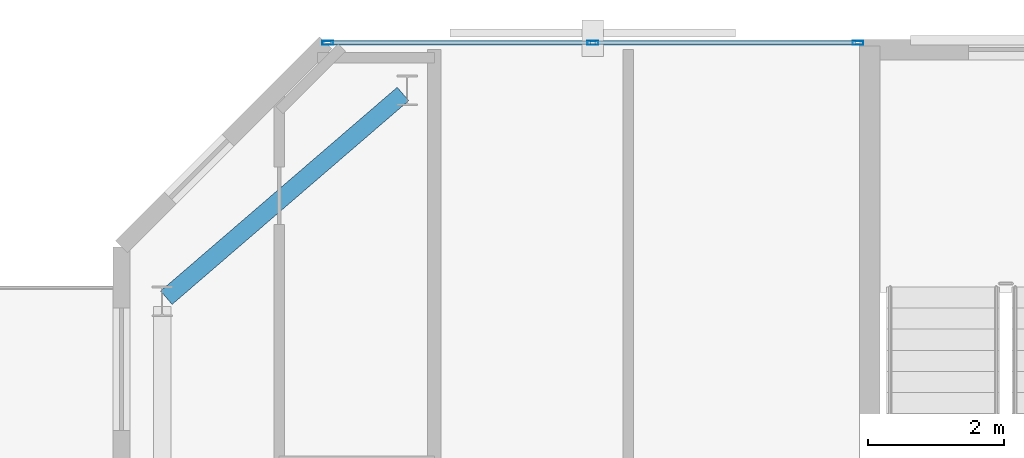
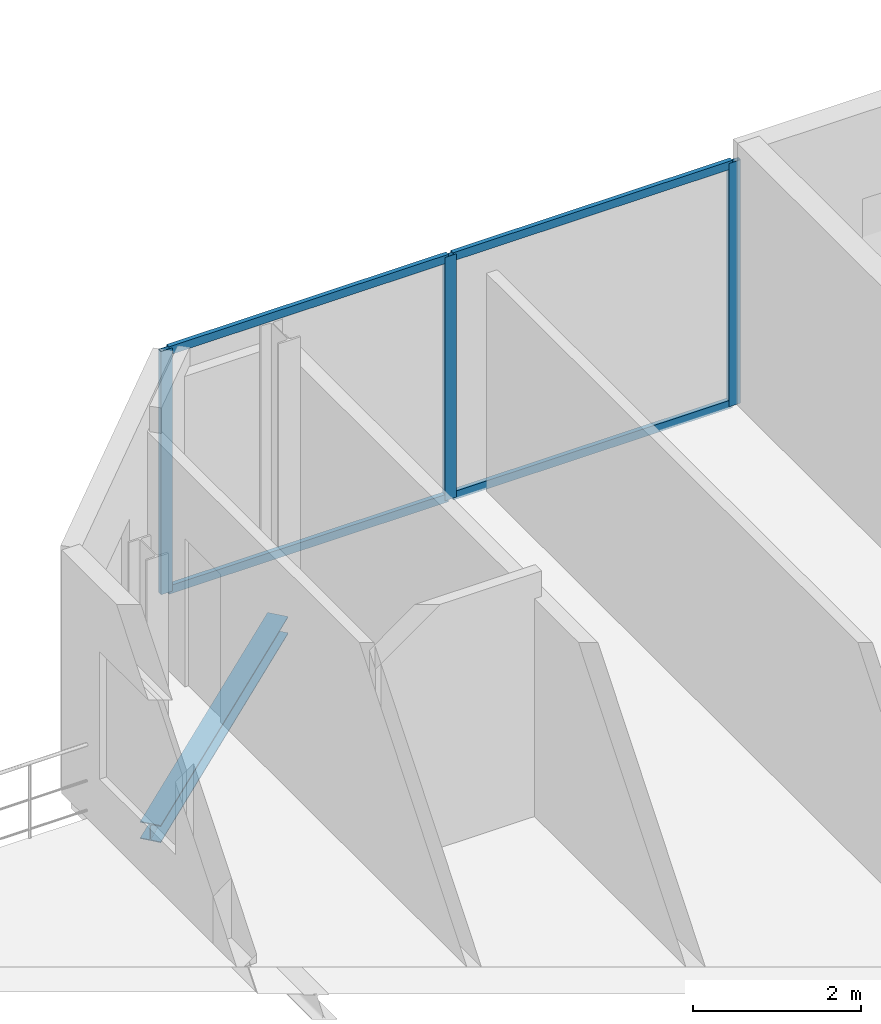
# One storey, part 16 of 23: 7 members, 1 beam, 1 element without a shape of its own.
"""IFC4 building model written with IfcOpenShell, lengths in metres."""

from ifc_helpers import new_model, si_unit, direction, frame, origin, origin_2d, place, context, subcontext, project, spatial, hollow_rectangle, i_section, extrude, material, layer, layer_set, material_profile, profile_set, type_object, element, aggregate, save


model = new_model("IFC4")

# Units and contexts
model_context = context("Model", 3, precision=1e-05, world=origin(), true_north=direction((0.0, 1.0)))
body_context = subcontext(model_context, "Body", "Model", "MODEL_VIEW")
ifc_project = project(units=[si_unit("LENGTHUNIT", "METRE"), si_unit("AREAUNIT", "SQUARE_METRE"), si_unit("VOLUMEUNIT", "CUBIC_METRE"), si_unit("PLANEANGLEUNIT", "RADIAN"), si_unit("MASSUNIT", "GRAM", prefix="KILO")], contexts=[model_context])

# Site, building, storey
site_placement = place(None, origin())
site = spatial("IfcSite", under=ifc_project, at=site_placement, CompositionType="ELEMENT")
building_placement = place(site_placement, origin())
building = spatial("IfcBuilding", under=site, at=building_placement, Name="Catumbela Crestline Tower", CompositionType="ELEMENT")
storey_placement = place(building_placement, frame((0.0, 0.0, 245.0)))
storey = spatial("IfcBuildingStorey", under=building, at=storey_placement, Name="L63", CompositionType="ELEMENT", Elevation=245.0)

# Curtain wall, members
ifc_material_1 = material(Name="Aluminium alloy AW-6060-T66", Category="aluminium")
ifc_layer = layer(ifc_material_1, 0.18, Name="Aluminium alloy AW-6060-T66")
ifc_layer_set = layer_set([ifc_layer], Name="Aluminium alloy AW-6060-T66")
curtain_wall_type = type_object("IfcCurtainWallType", Name="CWU-Z4", PredefinedType="USERDEFINED", material=ifc_layer_set)
curtain_wall_placement = place(storey_placement, origin())
curtain_wall = element("IfcCurtainWall", 1, at=curtain_wall_placement, inside=storey, type_object=curtain_wall_type, Name="L63 Unitised Curtain Wall CW-L63-E7S2", ObjectType="UNITISED", PredefinedType="USERDEFINED")
ifc_material_profile_1 = material_profile(ifc_material_1, hollow_rectangle(XDim=0.06, YDim=0.16, WallThickness=0.004, at=origin_2d()), Name="ALU 160x60x4")
ifc_profile_set_1 = profile_set([ifc_material_profile_1], Name="Aluminium alloy AW-6060-T66")
member_type_1 = type_object("IfcMemberType", Name="MUL-160X60", PredefinedType="MULLION", material=ifc_profile_set_1)
member_1_placement = place(storey_placement, frame((15.8275, 43.0, 0.0), z_axis=(0.0, 0.0, 1.0), x_axis=(0.0, -1.0, 0.0)))
member_1 = element("IfcMember", 2, at=member_1_placement, type_object=member_type_1, Name="CWU-Z4 mullion 1", PredefinedType="MULLION", context=body_context, shape_type="SweptSolid", body=[
    extrude(hollow_rectangle(XDim=0.06, YDim=0.16, WallThickness=0.004, at=origin_2d()), origin(), (0.0, 0.0, 1.0), 3.53),
])
member_2_placement = place(storey_placement, frame((11.93, 43.0, 0.0), z_axis=(0.0, 0.0, 1.0), x_axis=(0.0, -1.0, 0.0)))
member_2 = element("IfcMember", 3, at=member_2_placement, type_object=member_type_1, Name="CWU-Z4 mullion 2", PredefinedType="MULLION", context=body_context, shape_type="SweptSolid", body=[
    extrude(hollow_rectangle(XDim=0.06, YDim=0.16, WallThickness=0.004, at=origin_2d()), origin(), (0.0, 0.0, 1.0), 3.53),
])
member_3_placement = place(storey_placement, frame((8.0325, 43.0, 0.0), z_axis=(0.0, 0.0, 1.0), x_axis=(0.0, -1.0, 0.0)))
member_3 = element("IfcMember", 4, at=member_3_placement, type_object=member_type_1, Name="CWU-Z4 mullion 3", PredefinedType="MULLION", context=body_context, shape_type="SweptSolid", body=[
    extrude(hollow_rectangle(XDim=0.06, YDim=0.16, WallThickness=0.004, at=origin_2d()), origin(), (0.0, 0.0, 1.0), 3.53),
])

# Beam
ifc_material_2 = material(Name="Structural steel S355J2", Category="steel")
ifc_material_profile_2 = material_profile(ifc_material_2, i_section(OverallWidth=0.26, OverallDepth=0.25, WebThickness=0.0075, FlangeThickness=0.0125, FilletRadius=0.024, at=origin_2d()), Name="HEA 260")
ifc_profile_set_2 = profile_set([ifc_material_profile_2], Name="Structural steel S355J2")
beam_type = type_object("IfcBeamType", Name="BS-HEA260", PredefinedType="SPANDREL", material=ifc_profile_set_2)
beam_placement = place(storey_placement, frame((5.6606, 39.2522, -0.385), z_axis=(0.757772392559, 0.652518966066, 0.0), x_axis=(-0.652518966066, 0.757772392559, 0.0)))
element("IfcBeam", 5, at=beam_placement, inside=storey, type_object=beam_type, Name="L63 Spandrel SP-L63-N09", PredefinedType="SPANDREL", context=body_context, shape_type="SweptSolid", body=[
    extrude(i_section(OverallWidth=0.26, OverallDepth=0.25, WebThickness=0.0075, FlangeThickness=0.0125, FilletRadius=0.024, at=origin_2d()), origin(), (0.0, 0.0, 1.0), 4.5908),
])

# Member
ifc_material_profile_3 = material_profile(ifc_material_1, hollow_rectangle(XDim=0.06, YDim=0.12, WallThickness=0.0035, at=origin_2d()), Name="ALU 120x60x3.5")
ifc_profile_set_3 = profile_set([ifc_material_profile_3], Name="Aluminium alloy AW-6060-T66")
member_type_2 = type_object("IfcMemberType", Name="TRN-120X60", PredefinedType="USERDEFINED", material=ifc_profile_set_3)
member_4_placement = place(storey_placement, frame((15.795, 43.0, 0.03), z_axis=(-1.0, 0.0, 0.0), x_axis=(0.0, -1.0, 0.0)))
member_4 = element("IfcMember", 6, at=member_4_placement, type_object=member_type_2, Name="CWU-Z4 transom 1.1", ObjectType="TRANSOM", PredefinedType="USERDEFINED", context=body_context, shape_type="SweptSolid", body=[
    extrude(hollow_rectangle(XDim=0.06, YDim=0.12, WallThickness=0.0035, at=origin_2d()), origin(), (0.0, 0.0, 1.0), 3.8325),
])

member_5_placement = place(storey_placement, frame((15.795, 43.0, 3.5), z_axis=(-1.0, 0.0, 0.0), x_axis=(0.0, -1.0, 0.0)))
member_5 = element("IfcMember", 7, at=member_5_placement, type_object=member_type_2, Name="CWU-Z4 transom 1.2", ObjectType="TRANSOM", PredefinedType="USERDEFINED", context=body_context, shape_type="SweptSolid", body=[
    extrude(hollow_rectangle(XDim=0.06, YDim=0.12, WallThickness=0.0035, at=origin_2d()), origin(), (0.0, 0.0, 1.0), 3.8325),
])

member_6_placement = place(storey_placement, frame((11.8975, 43.0, 0.03), z_axis=(-1.0, 0.0, 0.0), x_axis=(0.0, -1.0, 0.0)))
member_6 = element("IfcMember", 8, at=member_6_placement, type_object=member_type_2, Name="CWU-Z4 transom 2.1", ObjectType="TRANSOM", PredefinedType="USERDEFINED", context=body_context, shape_type="SweptSolid", body=[
    extrude(hollow_rectangle(XDim=0.06, YDim=0.12, WallThickness=0.0035, at=origin_2d()), origin(), (0.0, 0.0, 1.0), 3.8325),
])

member_7_placement = place(storey_placement, frame((11.8975, 43.0, 3.5), z_axis=(-1.0, 0.0, 0.0), x_axis=(0.0, -1.0, 0.0)))
member_7 = element("IfcMember", 9, at=member_7_placement, type_object=member_type_2, Name="CWU-Z4 transom 2.2", ObjectType="TRANSOM", PredefinedType="USERDEFINED", context=body_context, shape_type="SweptSolid", body=[
    extrude(hollow_rectangle(XDim=0.06, YDim=0.12, WallThickness=0.0035, at=origin_2d()), origin(), (0.0, 0.0, 1.0), 3.8325),
])

aggregate(curtain_wall, [member_1, member_2, member_3, member_4, member_5, member_6, member_7])

save(model, "model.ifc")
